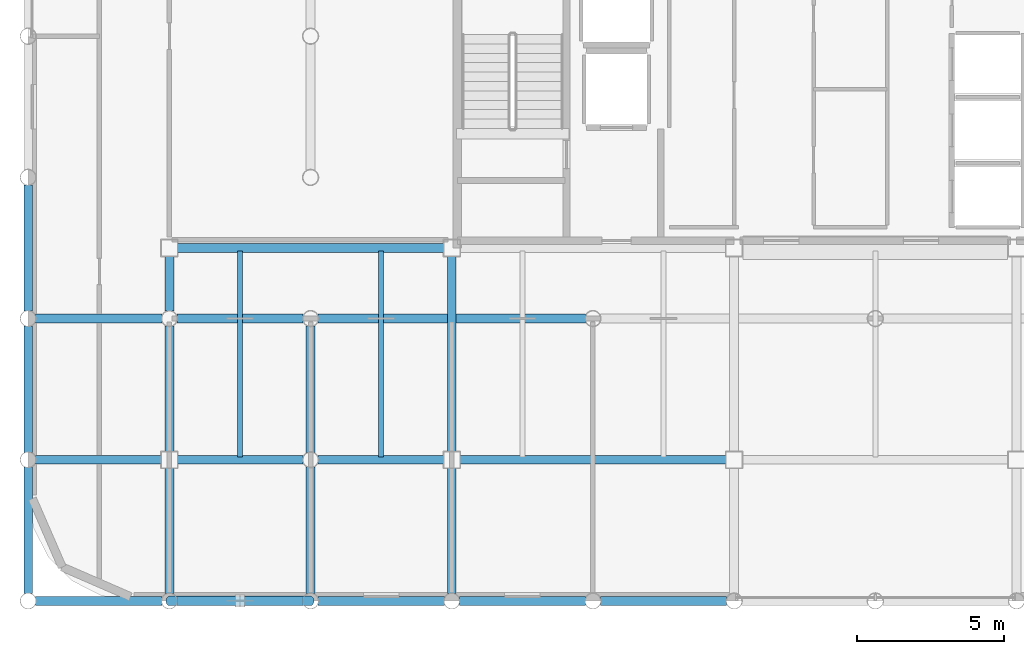
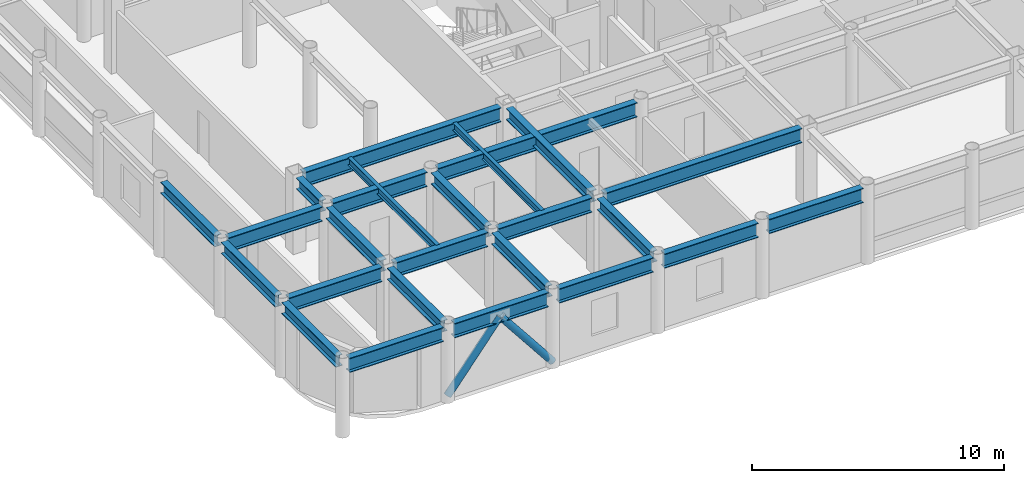
# One storey, part 3 of 22: 25 beams, 2 members.
"""IFC4 building model written with IfcOpenShell, lengths in metres."""

import ifcopenshell
import ifcopenshell.guid

model = None  # the IFC model being written
_history = None  # IfcOwnerHistory: only IFC2X3 demands one
_inside = {}  # id of a spatial element -> (the spatial element, [elements in it])
_under = {}  # id of a project, library or spatial element -> (it, [spatial elements below it])
_declared = {}  # id of a project -> (the project, [libraries it declares])
_typed = {}  # id of a type object -> (the type object, [elements of that type])
_made_of = {}  # id of a material, layer set ... -> (it, [elements and type objects made of it])


def new_model(schema):
    """Start an empty IFC model of exactly this schema.

    Asked for "IFC4X3", IfcOpenShell would pick the latest addendum, in which some entities
    have other attributes; the version numbers below select the first issue.
    IFC2X3 requires an IfcOwnerHistory on every rooted entity: one is made here for all.
    """
    global model, _history
    if schema == "IFC4X3":
        model = ifcopenshell.file(schema_version=(4, 3, 0, 0))
    else:
        model = ifcopenshell.file(schema=schema)
    _inside.clear()
    _under.clear()
    _declared.clear()
    _typed.clear()
    _made_of.clear()
    _history = None
    if model.schema == "IFC2X3":
        org = make("IfcOrganization", Name="unknown")
        user = make(
            "IfcPersonAndOrganization",
            ThePerson=make("IfcPerson", FamilyName="unknown"),
            TheOrganization=org,
        )
        app = make(
            "IfcApplication",
            ApplicationDeveloper=org,
            Version="unknown",
            ApplicationFullName="unknown",
            ApplicationIdentifier="unknown",
        )
        _history = make(
            "IfcOwnerHistory",
            OwningUser=user,
            OwningApplication=app,
            ChangeAction="ADDED",
            CreationDate=0,
        )
    return model


def make(cls, **values):
    """One entity of the class cls with the attributes given. An attribute that is None is left unset."""
    return model.create_entity(
        cls, **{name: value for name, value in values.items() if value is not None}
    )


def rooted(cls, **values):
    """An entity with a GlobalId (a new one), such as an element, a storey or a relation."""
    return make(cls, GlobalId=ifcopenshell.guid.new(), OwnerHistory=_history, **values)


def si_unit(unit_type, name, prefix=None):
    """IfcSIUnit, for example si_unit("LENGTHUNIT", "METRE", prefix="MILLI")."""
    return make("IfcSIUnit", UnitType=unit_type, Prefix=prefix, Name=name)


def assignment(units):
    """IfcUnitAssignment: the units of a project."""
    return None if units is None else make("IfcUnitAssignment", Units=units)


def point(xyz):
    """IfcCartesianPoint."""
    return None if xyz is None else make("IfcCartesianPoint", Coordinates=xyz)


def direction(xyz):
    """IfcDirection."""
    return None if xyz is None else make("IfcDirection", DirectionRatios=xyz)


def frame(location, z_axis=None, x_axis=None):
    """IfcAxis2Placement3D, a coordinate frame: its origin and axes. An axis left out is left unset."""
    return make(
        "IfcAxis2Placement3D",
        Location=point(location),
        Axis=direction(z_axis),
        RefDirection=direction(x_axis),
    )


def frame_2d(location, x_axis=None):
    """IfcAxis2Placement2D, a coordinate frame in the plane: its origin and x axis."""
    return make(
        "IfcAxis2Placement2D", Location=point(location), RefDirection=direction(x_axis)
    )


def origin():
    """The frame at (0, 0, 0) with its axes left unset."""
    return frame((0.0, 0.0, 0.0))


def origin_2d():
    """The frame at (0, 0) in the plane with its x axis left unset."""
    return frame_2d((0.0, 0.0))


def place(relative_to, where):
    """IfcLocalPlacement: puts the frame where relative to a parent placement (None: the world)."""
    return make(
        "IfcLocalPlacement", PlacementRelTo=relative_to, RelativePlacement=where
    )


def context(
    kind, dimensions, precision=None, world=None, true_north=None, identifier=None
):
    """IfcGeometricRepresentationContext, for example the 3D "Model" context."""
    return make(
        "IfcGeometricRepresentationContext",
        ContextIdentifier=identifier,
        ContextType=kind,
        CoordinateSpaceDimension=dimensions,
        Precision=precision,
        WorldCoordinateSystem=world,
        TrueNorth=true_north,
    )


def subcontext(parent, identifier, kind, view, scale=None):
    """IfcGeometricRepresentationSubContext, for example "Body" below "Model"."""
    return make(
        "IfcGeometricRepresentationSubContext",
        ContextIdentifier=identifier,
        ContextType=kind,
        ParentContext=parent,
        TargetScale=scale,
        TargetView=view,
    )


def project(units=None, contexts=None):
    """IfcProject with its units and contexts."""
    return rooted(
        "IfcProject",
        Name="project",
        RepresentationContexts=contexts,
        UnitsInContext=assignment(units),
    )


def spatial(cls, under=None, at=None, **own):
    """A site, building, storey or space (cls), placed at a placement, below another one or the project."""
    s = rooted(cls, ObjectPlacement=at, **own)
    if under is not None:
        _under.setdefault(under.id(), (under, []))[1].append(s)
    return s


def profile(cls, at=None, kind="AREA", **sizes):
    """A parametric profile (cls). Its sizes go by their IFC names, for example OverallWidth=200.0."""
    return make(cls, ProfileType=kind, Position=at, **sizes)


def hollow_circle(**sizes):
    """IfcCircleHollowProfileDef."""
    return profile("IfcCircleHollowProfileDef", **sizes)


def i_section(**sizes):
    """IfcIShapeProfileDef."""
    return profile("IfcIShapeProfileDef", **sizes)


def extrude(swept, where, along, depth):
    """IfcExtrudedAreaSolid: the profile swept, set in the frame where, extruded along a direction by depth."""
    return make(
        "IfcExtrudedAreaSolid",
        SweptArea=swept,
        Position=where,
        ExtrudedDirection=direction(along),
        Depth=depth,
    )


def shape(context_of_items, identifier, shape_type, items):
    """IfcShapeRepresentation: the items that make up one representation, for example the "Body"."""
    return make(
        "IfcShapeRepresentation",
        ContextOfItems=context_of_items,
        RepresentationIdentifier=identifier,
        RepresentationType=shape_type,
        Items=items,
    )


def material(Name=None, Category=None):
    """IfcMaterial."""
    return make("IfcMaterial", Name=Name, Category=Category)


def material_profile(
    of_material, cross_section, Name=None, Category=None, Priority=None
):
    """IfcMaterialProfile: a cross section and its material."""
    return make(
        "IfcMaterialProfile",
        Name=Name,
        Material=of_material,
        Profile=cross_section,
        Priority=Priority,
        Category=Category,
    )


def profile_set(profiles, Name=None, composite=None):
    """IfcMaterialProfileSet."""
    return make(
        "IfcMaterialProfileSet",
        Name=Name,
        MaterialProfiles=profiles,
        CompositeProfile=composite,
    )


def made_of(thing, what):
    """Note that an element or type object is made of a material, layer set ...; save() writes the relation."""
    if what is not None:
        _made_of.setdefault(what.id(), (what, []))[1].append(thing)
    return thing


def type_object(cls, material=None, **own):
    """A type object (cls), such as IfcWallType, which elements share."""
    return made_of(rooted(cls, **own), material)


def element(
    cls,
    number,
    at=None,
    inside=None,
    cuts=None,
    type_object=None,
    material=None,
    context=None,
    identifier="Body",
    shape_type=None,
    held_by="IfcProductDefinitionShape",
    body=None,
    shapes=None,
    **own,
):
    """One element of the class cls, such as IfcWall. Its Tag is "e" and its number.

    at: its placement. inside: the storey or other place that contains it. cuts: it is an
    opening in that element (IfcRelVoidsElement). A single representation is given by context,
    identifier, shape_type and body (its items); several are given by shapes. held_by: the class
    of the entity that holds the representations. save() writes the other relations.
    """
    e = rooted(cls, Tag="e%d" % number, ObjectPlacement=at, **own)
    if body is not None:
        shapes = [shape(context, identifier, shape_type, body)]
    if shapes is not None:
        e.Representation = make(held_by, Representations=shapes)
    if inside is not None:
        _inside.setdefault(inside.id(), (inside, []))[1].append(e)
    if cuts is not None:
        rooted(
            "IfcRelVoidsElement", RelatingBuildingElement=cuts, RelatedOpeningElement=e
        )
    if type_object is not None:
        _typed.setdefault(type_object.id(), (type_object, []))[1].append(e)
    return made_of(e, material)


def aggregate(whole, parts):
    """IfcRelAggregates: a whole, such as a stair, and the parts it consists of."""
    return rooted("IfcRelAggregates", RelatingObject=whole, RelatedObjects=parts)


def save(model, path):
    """Write the relations noted so far, then the file.

    IfcRelAggregates (storeys below a building ...), IfcRelContainedInSpatialStructure (elements
    in a storey), IfcRelDefinesByType, IfcRelAssociatesMaterial and IfcRelDeclares: one each for
    every whole, place, type object, material and project.
    """
    for whole, parts in _under.values():
        aggregate(whole, parts)
    for where, things in _inside.values():
        rooted(
            "IfcRelContainedInSpatialStructure",
            RelatedElements=things,
            RelatingStructure=where,
        )
    for kind, things in _typed.values():
        rooted("IfcRelDefinesByType", RelatedObjects=things, RelatingType=kind)
    for what, things in _made_of.values():
        rooted("IfcRelAssociatesMaterial", RelatedObjects=things, RelatingMaterial=what)
    for by, libraries in _declared.values():
        rooted("IfcRelDeclares", RelatingContext=by, RelatedDefinitions=libraries)
    model.write(path)


model = new_model("IFC4")

# Units and contexts
model_context = context("Model", 3, precision=1e-05, world=origin(), true_north=direction((0.0, 1.0)))
body_context = subcontext(model_context, "Body", "Model", "MODEL_VIEW")
ifc_project = project(units=[si_unit("LENGTHUNIT", "METRE"), si_unit("AREAUNIT", "SQUARE_METRE"), si_unit("VOLUMEUNIT", "CUBIC_METRE"), si_unit("PLANEANGLEUNIT", "RADIAN"), si_unit("MASSUNIT", "GRAM", prefix="KILO")], contexts=[model_context])

# Site, building, storey
site_placement = place(None, origin())
site = spatial("IfcSite", under=ifc_project, at=site_placement, CompositionType="ELEMENT")
building_placement = place(site_placement, origin())
building = spatial("IfcBuilding", under=site, at=building_placement, Name="Kallvorn Hotel Tower", CompositionType="ELEMENT")
storey_placement = place(building_placement, frame((0.0, 0.0, 226.14990234375)))
storey = spatial("IfcBuildingStorey", under=building, at=storey_placement, Name="L56", CompositionType="ELEMENT", Elevation=226.14990234375)

# Beams
ifc_material_1 = material(Name="Structural steel S355JR", Category="steel")
ifc_material_profile_1 = material_profile(ifc_material_1, i_section(OverallWidth=0.300048828125, OverallDepth=0.550048828125, WebThickness=0.014892578125, FlangeThickness=0.029052734375, at=origin_2d()), Name="HE 550 B")
ifc_profile_set_1 = profile_set([ifc_material_profile_1], Name="Structural steel S355JR")
beam_type_1 = type_object("IfcBeamType", Name="BM_HE550B", PredefinedType="SPANDREL", material=ifc_profile_set_1)
for number, where, z_axis, x_axis, name in (
    (1, (-28.800048828125, -18.945556640625, 3.39501953125), (0.0, 1.0, 0.0), (-1.0, 0.0, 0.0), "L57 Primary Y-Girder 73"),
    (2, (-28.800048828125, -14.1455078125, 3.39501953125), (0.0, 1.0, 0.0), (-1.0, 0.0, 0.0), "L57 Primary Y-Girder 74"),
    (3, (-28.800048828125, -9.345458984375, 3.39501953125), (0.0, 1.0, 0.0), (-1.0, 0.0, 0.0), "L57 Primary Y-Girder 75"),
):
    element("IfcBeam", number, at=place(storey_placement, frame(where, z_axis=z_axis, x_axis=x_axis)), inside=storey, type_object=beam_type_1, Name=name, PredefinedType="SPANDREL", context=body_context, shape_type="SweptSolid", body=[
        extrude(i_section(OverallWidth=0.300048828125, OverallDepth=0.550048828125, WebThickness=0.014892578125, FlangeThickness=0.029052734375, at=origin_2d()), origin(), (0.0, 0.0, 1.0), 4.291015625),
    ])
for number, where, z_axis, x_axis, name in (
    (4, (-24.0, -18.945556640625, 3.39501953125), (0.0, 1.0, 0.0), (-1.0, 0.0, 0.0), "L57 Primary Y-Girder 81"),
    (5, (-24.0, -14.125, 3.39501953125), (0.0, 1.0, 0.0), (-1.0, 0.0, 0.0), "L57 Primary Y-Girder 82"),
):
    element("IfcBeam", number, at=place(storey_placement, frame(where, z_axis=z_axis, x_axis=x_axis)), inside=storey, type_object=beam_type_1, Name=name, PredefinedType="SPANDREL", context=body_context, shape_type="SweptSolid", body=[
        extrude(i_section(OverallWidth=0.300048828125, OverallDepth=0.550048828125, WebThickness=0.014892578125, FlangeThickness=0.029052734375, at=origin_2d()), origin(), (0.0, 0.0, 1.0), 4.2705078125),
    ])
beam_1_placement = place(storey_placement, frame((-24.0, -9.345458984375, 3.39501953125), z_axis=(0.0, 1.0, 0.0), x_axis=(-1.0, 0.0, 0.0)))
element("IfcBeam", 6, at=beam_1_placement, inside=storey, type_object=beam_type_1, Name="L57 Primary Y-Girder 83", PredefinedType="SPANDREL", context=body_context, shape_type="SweptSolid", body=[
    extrude(i_section(OverallWidth=0.300048828125, OverallDepth=0.550048828125, WebThickness=0.014892578125, FlangeThickness=0.029052734375, at=origin_2d()), origin(), (0.0, 0.0, 1.0), 1.870361328125),
])
for number, where, z_axis, x_axis, name in (
    (7, (-19.199951171875, -18.945556640625, 3.39501953125), (0.0, 1.0, 0.0), (-1.0, 0.0, 0.0), "L57 Primary Y-Girder 88"),
    (8, (-19.199951171875, -14.1455078125, 3.39501953125), (0.0, 1.0, 0.0), (-1.0, 0.0, 0.0), "L57 Primary Y-Girder 89"),
):
    element("IfcBeam", number, at=place(storey_placement, frame(where, z_axis=z_axis, x_axis=x_axis)), inside=storey, type_object=beam_type_1, Name=name, PredefinedType="SPANDREL", context=body_context, shape_type="SweptSolid", body=[
        extrude(i_section(OverallWidth=0.300048828125, OverallDepth=0.550048828125, WebThickness=0.014892578125, FlangeThickness=0.029052734375, at=origin_2d()), origin(), (0.0, 0.0, 1.0), 4.291015625),
    ])
beam_2_placement = place(storey_placement, frame((-14.39990234375, -18.945556640625, 3.39501953125), z_axis=(0.0, 1.0, 0.0), x_axis=(-1.0, 0.0, 0.0)))
element("IfcBeam", 9, at=beam_2_placement, inside=storey, type_object=beam_type_1, Name="L57 Primary Y-Girder 97", PredefinedType="SPANDREL", context=body_context, shape_type="SweptSolid", body=[
    extrude(i_section(OverallWidth=0.300048828125, OverallDepth=0.550048828125, WebThickness=0.014892578125, FlangeThickness=0.029052734375, at=origin_2d()), origin(), (0.0, 0.0, 1.0), 4.2705078125),
])
beam_3_placement = place(storey_placement, frame((-14.39990234375, -14.125, 3.39501953125), z_axis=(0.0, 1.0, 0.0), x_axis=(-1.0, 0.0, 0.0)))
element("IfcBeam", 10, at=beam_3_placement, inside=storey, type_object=beam_type_1, Name="L57 Primary Y-Girder 98", PredefinedType="SPANDREL", context=body_context, shape_type="SweptSolid", body=[
    extrude(i_section(OverallWidth=0.300048828125, OverallDepth=0.550048828125, WebThickness=0.014892578125, FlangeThickness=0.029052734375, at=origin_2d()), origin(), (0.0, 0.0, 1.0), 6.64990234375),
])
ifc_material_2 = material(Name="Structural steel S355JR", Category="steel")
ifc_material_profile_2 = material_profile(ifc_material_2, i_section(OverallWidth=0.300048828125, OverallDepth=0.699951171875, WebThickness=0.01708984375, FlangeThickness=0.031982421875, at=origin_2d()), Name="HE 700 B")
ifc_profile_set_2 = profile_set([ifc_material_profile_2], Name="Structural steel S355JR")
beam_type_2 = type_object("IfcBeamType", Name="BM_HE700B", PredefinedType="BEAM", material=ifc_profile_set_2)
for number, where, z_axis, x_axis, name in (
    (11, (-28.54541015625, -19.199951171875, 3.320068359375), (1.0, 0.0, 0.0), (0.0, 1.0, 0.0), "L57 Primary X-Girder 01"),
    (12, (-23.74560546875, -19.199951171875, 3.320068359375), (1.0, 0.0, 0.0), (0.0, 1.0, 0.0), "L57 Primary X-Girder 02"),
    (13, (-18.945556640625, -19.199951171875, 3.320068359375), (1.0, 0.0, 0.0), (0.0, 1.0, 0.0), "L57 Primary X-Girder 03"),
    (14, (-14.1455078125, -19.199951171875, 3.320068359375), (1.0, 0.0, 0.0), (0.0, 1.0, 0.0), "L57 Primary X-Girder 04"),
    (15, (-9.345458984375, -19.199951171875, 3.320068359375), (1.0, 0.0, 0.0), (0.0, 1.0, 0.0), "L57 Primary X-Girder 05"),
):
    element("IfcBeam", number, at=place(storey_placement, frame(where, z_axis=z_axis, x_axis=x_axis)), inside=storey, type_object=beam_type_2, Name=name, PredefinedType="BEAM", context=body_context, shape_type="SweptSolid", body=[
        extrude(i_section(OverallWidth=0.300048828125, OverallDepth=0.699951171875, WebThickness=0.01708984375, FlangeThickness=0.031982421875, at=origin_2d()), origin(), (0.0, 0.0, 1.0), 4.291015625),
    ])
for number, where, z_axis, x_axis, name in (
    (16, (-28.54541015625, -14.39990234375, 3.320068359375), (1.0, 0.0, 0.0), (0.0, 1.0, 0.0), "L57 Primary X-Girder 13"),
    (17, (-23.72509765625, -14.39990234375, 3.320068359375), (1.0, 0.0, 0.0), (0.0, 1.0, 0.0), "L57 Primary X-Girder 14"),
    (18, (-18.945556640625, -14.39990234375, 3.320068359375), (1.0, 0.0, 0.0), (0.0, 1.0, 0.0), "L57 Primary X-Girder 15"),
):
    element("IfcBeam", number, at=place(storey_placement, frame(where, z_axis=z_axis, x_axis=x_axis)), inside=storey, type_object=beam_type_2, Name=name, PredefinedType="BEAM", context=body_context, shape_type="SweptSolid", body=[
        extrude(i_section(OverallWidth=0.300048828125, OverallDepth=0.699951171875, WebThickness=0.01708984375, FlangeThickness=0.031982421875, at=origin_2d()), origin(), (0.0, 0.0, 1.0), 4.2705078125),
    ])
beam_4_placement = place(storey_placement, frame((-14.125, -14.39990234375, 3.320068359375), z_axis=(1.0, 0.0, 0.0), x_axis=(0.0, 1.0, 0.0)))
element("IfcBeam", 19, at=beam_4_placement, inside=storey, type_object=beam_type_2, Name="L57 Primary X-Girder 16", PredefinedType="BEAM", context=body_context, shape_type="SweptSolid", body=[
    extrude(i_section(OverallWidth=0.300048828125, OverallDepth=0.699951171875, WebThickness=0.01708984375, FlangeThickness=0.031982421875, at=origin_2d()), origin(), (0.0, 0.0, 1.0), 9.050048828125),
])
for number, where, z_axis, x_axis, name in (
    (20, (-28.54541015625, -9.60009765625, 3.320068359375), (1.0, 0.0, 0.0), (0.0, 1.0, 0.0), "L57 Primary X-Girder 23"),
    (21, (-23.74560546875, -9.60009765625, 3.320068359375), (1.0, 0.0, 0.0), (0.0, 1.0, 0.0), "L57 Primary X-Girder 24"),
):
    element("IfcBeam", number, at=place(storey_placement, frame(where, z_axis=z_axis, x_axis=x_axis)), inside=storey, type_object=beam_type_2, Name=name, PredefinedType="BEAM", context=body_context, shape_type="SweptSolid", body=[
        extrude(i_section(OverallWidth=0.300048828125, OverallDepth=0.699951171875, WebThickness=0.01708984375, FlangeThickness=0.031982421875, at=origin_2d()), origin(), (0.0, 0.0, 1.0), 4.291015625),
    ])
beam_5_placement = place(storey_placement, frame((-18.945556640625, -9.60009765625, 3.320068359375), z_axis=(1.0, 0.0, 0.0), x_axis=(0.0, 1.0, 0.0)))
element("IfcBeam", 22, at=beam_5_placement, inside=storey, type_object=beam_type_2, Name="L57 Primary X-Girder 25", PredefinedType="BEAM", context=body_context, shape_type="SweptSolid", body=[
    extrude(i_section(OverallWidth=0.300048828125, OverallDepth=0.699951171875, WebThickness=0.01708984375, FlangeThickness=0.031982421875, at=origin_2d()), origin(), (0.0, 0.0, 1.0), 9.091064453125),
])
beam_6_placement = place(storey_placement, frame((-23.72509765625, -7.199951171875, 3.320068359375), z_axis=(1.0, 0.0, 0.0), x_axis=(0.0, 1.0, 0.0)))
element("IfcBeam", 23, at=beam_6_placement, inside=storey, type_object=beam_type_2, Name="L57 Primary X-Girder 32", PredefinedType="BEAM", context=body_context, shape_type="SweptSolid", body=[
    extrude(i_section(OverallWidth=0.300048828125, OverallDepth=0.699951171875, WebThickness=0.01708984375, FlangeThickness=0.031982421875, at=origin_2d()), origin(), (0.0, 0.0, 1.0), 9.050048828125),
])
ifc_material_3 = material(Name="Structural steel S355JR", Category="steel")
ifc_material_profile_3 = material_profile(ifc_material_3, i_section(OverallWidth=0.169921875, OverallDepth=0.360107421875, WebThickness=0.008056640625, FlangeThickness=0.0126953125, at=origin_2d()), Name="IPE 360")
ifc_profile_set_3 = profile_set([ifc_material_profile_3], Name="Structural steel S355JR")
beam_type_3 = type_object("IfcBeamType", Name="BM_IPE360", PredefinedType="JOIST", material=ifc_profile_set_3)
for number, where, z_axis, x_axis, name in (
    (24, (-21.60009765625, -14.300048828125, 3.489990234375), (0.0, 1.0, 0.0), (-1.0, 0.0, 0.0), "L57 Secondary Composite Joist 192"),
    (25, (-16.800048828125, -14.300048828125, 3.489990234375), (0.0, 1.0, 0.0), (-1.0, 0.0, 0.0), "L57 Secondary Composite Joist 194"),
):
    element("IfcBeam", number, at=place(storey_placement, frame(where, z_axis=z_axis, x_axis=x_axis)), inside=storey, type_object=beam_type_3, Name=name, PredefinedType="JOIST", context=body_context, shape_type="SweptSolid", body=[
        extrude(i_section(OverallWidth=0.169921875, OverallDepth=0.360107421875, WebThickness=0.008056640625, FlangeThickness=0.0126953125, at=origin_2d()), origin(), (0.0, 0.0, 1.0), 7.0),
    ])

# Members
ifc_material_4 = material(Name="Structural steel S355J2H", Category="steel")
ifc_material_profile_4 = material_profile(ifc_material_4, hollow_circle(Radius=0.161865234375, WallThickness=0.012451171875, at=origin_2d()), Name="CHS 323.9x12.5")
ifc_profile_set_4 = profile_set([ifc_material_profile_4], Name="Structural steel S355J2H")
member_type = type_object("IfcMemberType", Name="MBR_EXO_CHS323", PredefinedType="BRACE", material=ifc_profile_set_4)
for number, where, z_axis, x_axis, name in (
    (26, (-23.987548828125, -19.199951171875, 0.19580078125), (0.620928510901, 0.0, 0.783867198159), (0.0, 1.0, 0.0), "L56 Exoskeleton K-Brace S1A"),
    (27, (-19.21240234375, -19.199951171875, 0.19580078125), (-0.620928510901, 0.0, 0.783867198159), (0.0, -1.0, 0.0), "L56 Exoskeleton K-Brace S1B"),
):
    element("IfcMember", number, at=place(storey_placement, frame(where, z_axis=z_axis, x_axis=x_axis)), inside=storey, type_object=member_type, Name=name, PredefinedType="BRACE", context=body_context, shape_type="SweptSolid", body=[
        extrude(hollow_circle(Radius=0.161865234375, WallThickness=0.012451171875, at=origin_2d()), origin(), (0.0, 0.0, 1.0), 3.8251953125),
    ])

save(model, "model.ifc")
